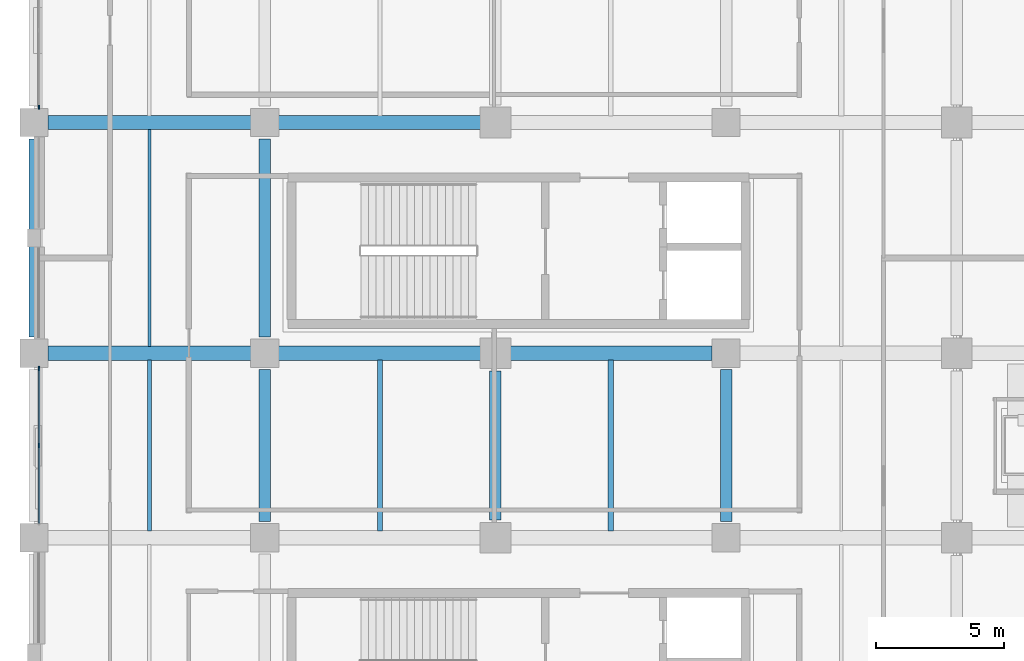
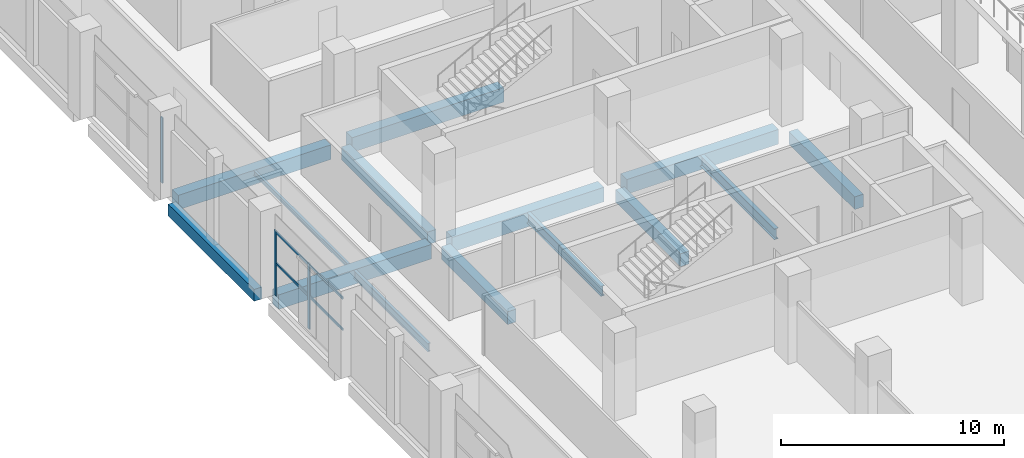
# One storey, part 12 of 100: 14 beams, 5 members, 2 elements without a shape of their own.
"""IFC4 building model written with IfcOpenShell, lengths in metres."""

from ifc_helpers import new_model, si_unit, direction, frame, origin, origin_2d, place, context, subcontext, project, spatial, rectangle, i_section, extrude, material, material_profile, profile_set, type_object, element, aggregate, save


model = new_model("IFC4")

# Units and contexts
model_context = context("Model", 3, precision=1e-05, world=origin(), true_north=direction((0.0, 1.0)))
body_context = subcontext(model_context, "Body", "Model", "MODEL_VIEW")
ifc_project = project(units=[si_unit("LENGTHUNIT", "METRE"), si_unit("AREAUNIT", "SQUARE_METRE"), si_unit("VOLUMEUNIT", "CUBIC_METRE"), si_unit("PLANEANGLEUNIT", "RADIAN"), si_unit("MASSUNIT", "GRAM", prefix="KILO"), si_unit("THERMODYNAMICTEMPERATUREUNIT", "KELVIN"), si_unit("POWERUNIT", "WATT")], contexts=[model_context])

# Site, building, storey
site_placement = place(None, origin())
site = spatial("IfcSite", under=ifc_project, at=site_placement, CompositionType="ELEMENT")
building_placement = place(site_placement, origin())
building = spatial("IfcBuilding", under=site, at=building_placement, Name="Sindhuravela Promenade Stadium", CompositionType="ELEMENT")
storey_placement = place(building_placement, frame((0.0, 0.0, 4.800048828125)))
storey = spatial("IfcBuildingStorey", under=building, at=storey_placement, Name="L01", CompositionType="ELEMENT", Elevation=4.800048828125)

# Curtain wall, members
ifc_material_1 = material(Name="Anodised architectural aluminium 6063-T6", Category="aluminium")
curtain_wall_type_1 = type_object("IfcCurtainWallType", Name="CW-MOD-3", PredefinedType="NOTDEFINED", material=ifc_material_1)
curtain_wall_1_placement = place(storey_placement, origin())
curtain_wall_1 = element("IfcCurtainWall", 1, at=curtain_wall_1_placement, inside=storey, type_object=curtain_wall_type_1, Name="Bronze curtain wall CW-WEST-L01-002", PredefinedType="NOTDEFINED")
ifc_material_profile_1 = material_profile(ifc_material_1, rectangle(XDim=0.06005859375, YDim=0.179931640625, at=origin_2d()), Name="ALU M60x180")
ifc_profile_set_1 = profile_set([ifc_material_profile_1], Name="Anodised architectural aluminium 6063-T6")
member_type_1 = type_object("IfcMemberType", Name="CW-MUL-3", PredefinedType="MULLION", material=ifc_profile_set_1)
member_1_placement = place(storey_placement, frame((0.199951171875, 64.800048828125, 0.0), z_axis=(0.0, 0.0, 1.0), x_axis=(1.0, 0.0, 0.0)))
member_1 = element("IfcMember", 2, at=member_1_placement, type_object=member_type_1, Name="Curtain wall mullion CW-WEST-L01-002-M2", PredefinedType="MULLION", context=body_context, shape_type="SweptSolid", body=[
    extrude(rectangle(XDim=0.06005859375, YDim=0.179931640625, at=origin_2d()), origin(), (0.0, 0.0, 1.0), 3.579833984375),
])
member_2_placement = place(storey_placement, frame((0.199951171875, 67.800048828125, 0.0), z_axis=(0.0, 0.0, 1.0), x_axis=(1.0, 0.0, 0.0)))
member_2 = element("IfcMember", 3, at=member_2_placement, type_object=member_type_1, Name="Curtain wall mullion CW-WEST-L01-002-M3", PredefinedType="MULLION", context=body_context, shape_type="SweptSolid", body=[
    extrude(rectangle(XDim=0.06005859375, YDim=0.179931640625, at=origin_2d()), origin(), (0.0, 0.0, 1.0), 3.579833984375),
])

# Curtain wall, member
curtain_wall_type_2 = type_object("IfcCurtainWallType", Name="CW-MOD-4", PredefinedType="NOTDEFINED", material=ifc_material_1)
curtain_wall_2_placement = place(storey_placement, origin())
curtain_wall_2 = element("IfcCurtainWall", 4, at=curtain_wall_2_placement, inside=storey, type_object=curtain_wall_type_2, Name="Bronze curtain wall CW-WEST-L01-003", PredefinedType="NOTDEFINED")
ifc_material_profile_2 = material_profile(ifc_material_1, rectangle(XDim=0.06005859375, YDim=0.159912109375, at=origin_2d()), Name="ALU M60x160")
ifc_profile_set_2 = profile_set([ifc_material_profile_2], Name="Anodised architectural aluminium 6063-T6")
member_type_2 = type_object("IfcMemberType", Name="CW-MUL-4", PredefinedType="MULLION", material=ifc_profile_set_2)
member_3_placement = place(storey_placement, frame((0.199951171875, 78.0, 0.0), z_axis=(0.0, 0.0, 1.0), x_axis=(1.0, 0.0, 0.0)))
member_3 = element("IfcMember", 5, at=member_3_placement, type_object=member_type_2, Name="Curtain wall mullion CW-WEST-L01-003-M1", PredefinedType="MULLION", context=body_context, shape_type="SweptSolid", body=[
    extrude(rectangle(XDim=0.06005859375, YDim=0.159912109375, at=origin_2d()), origin(), (0.0, 0.0, 1.0), 3.579833984375),
])
aggregate(curtain_wall_2, [member_3])

# Member
ifc_material_profile_3 = material_profile(ifc_material_1, rectangle(XDim=0.06005859375, YDim=0.1298828125, at=origin_2d()), Name="ALU T60x130")
ifc_profile_set_3 = profile_set([ifc_material_profile_3], Name="Anodised architectural aluminium 6063-T6")
member_type_3 = type_object("IfcMemberType", Name="CW-TRN-3", PredefinedType="USERDEFINED", material=ifc_profile_set_3)
member_4_placement = place(storey_placement, frame((0.199951171875, 61.77490234375, 1.7900390625), z_axis=(0.0, 1.0, 0.0), x_axis=(-1.0, 0.0, 0.0)))
member_4 = element("IfcMember", 6, at=member_4_placement, type_object=member_type_3, Name="Curtain wall transom CW-WEST-L01-002-T1", ObjectType="TRANSOM", PredefinedType="USERDEFINED", context=body_context, shape_type="SweptSolid", body=[
    extrude(rectangle(XDim=0.06005859375, YDim=0.1298828125, at=origin_2d()), origin(), (0.0, 0.0, 1.0), 6.050048828125),
])

member_5_placement = place(storey_placement, frame((0.199951171875, 61.77490234375, 3.5), z_axis=(0.0, 1.0, 0.0), x_axis=(-1.0, 0.0, 0.0)))
member_5 = element("IfcMember", 7, at=member_5_placement, type_object=member_type_3, Name="Curtain wall transom CW-WEST-L01-002-T2", ObjectType="TRANSOM", PredefinedType="USERDEFINED", context=body_context, shape_type="SweptSolid", body=[
    extrude(rectangle(XDim=0.06005859375, YDim=0.1298828125, at=origin_2d()), origin(), (0.0, 0.0, 1.0), 6.050048828125),
])

aggregate(curtain_wall_1, [member_1, member_2, member_4, member_5])

# Beams
ifc_material_2 = material(Name="Concrete M40", Category="concrete")
ifc_material_profile_4 = material_profile(ifc_material_2, rectangle(XDim=0.39990234375, YDim=0.64990234375, at=origin_2d()), Name="RC 400x650")
ifc_profile_set_4 = profile_set([ifc_material_profile_4], Name="Concrete M40")
beam_type_1 = type_object("IfcBeamType", Name="RC-BM-400x650", PredefinedType="SPANDREL", material=ifc_profile_set_4)
beam_1_placement = place(storey_placement, frame((0.0, 69.0400390625, -0.625), z_axis=(0.0, 1.0, 0.0), x_axis=(-1.0, 0.0, 0.0)))
element("IfcBeam", 8, at=beam_1_placement, inside=storey, type_object=beam_type_1, Name="Primary beam SP01 WEST L01", PredefinedType="SPANDREL", context=body_context, shape_type="SweptSolid", body=[
    extrude(rectangle(XDim=0.39990234375, YDim=0.64990234375, at=origin_2d()), origin(), (0.0, 0.0, 1.0), 7.719970703125),
])
ifc_material_profile_5 = material_profile(ifc_material_2, rectangle(XDim=0.449951171875, YDim=0.699951171875, at=origin_2d()), Name="RC 450x700")
ifc_profile_set_5 = profile_set([ifc_material_profile_5], Name="Concrete M40")
beam_type_2 = type_object("IfcBeamType", Name="RC-BM-450x700", PredefinedType="BEAM", material=ifc_profile_set_5)
beam_2_placement = place(storey_placement, frame((9.0, 61.840087890625, -0.650146484375), z_axis=(0.0, 1.0, 0.0), x_axis=(-1.0, 0.0, 0.0)))
element("IfcBeam", 9, at=beam_2_placement, inside=storey, type_object=beam_type_2, Name="Primary beam GB07 WEST L01", PredefinedType="BEAM", context=body_context, shape_type="SweptSolid", body=[
    extrude(rectangle(XDim=0.449951171875, YDim=0.699951171875, at=origin_2d()), origin(), (0.0, 0.0, 1.0), 5.919921875),
])
beam_3_placement = place(storey_placement, frame((9.0, 69.0400390625, -0.650146484375), z_axis=(0.0, 1.0, 0.0), x_axis=(-1.0, 0.0, 0.0)))
element("IfcBeam", 10, at=beam_3_placement, inside=storey, type_object=beam_type_2, Name="Primary beam GB07 WEST L01", PredefinedType="BEAM", context=body_context, shape_type="SweptSolid", body=[
    extrude(rectangle(XDim=0.449951171875, YDim=0.699951171875, at=origin_2d()), origin(), (0.0, 0.0, 1.0), 7.719970703125),
])
beam_4_placement = place(storey_placement, frame((18.0, 61.889892578125, -0.650146484375), z_axis=(0.0, 1.0, 0.0), x_axis=(-1.0, 0.0, 0.0)))
element("IfcBeam", 11, at=beam_4_placement, inside=storey, type_object=beam_type_2, Name="Primary beam GB07 WEST L01", PredefinedType="BEAM", context=body_context, shape_type="SweptSolid", body=[
    extrude(rectangle(XDim=0.449951171875, YDim=0.699951171875, at=origin_2d()), origin(), (0.0, 0.0, 1.0), 5.820068359375),
])
beam_5_placement = place(storey_placement, frame((27.0, 61.840087890625, -0.650146484375), z_axis=(0.0, 1.0, 0.0), x_axis=(-1.0, 0.0, 0.0)))
element("IfcBeam", 12, at=beam_5_placement, inside=storey, type_object=beam_type_2, Name="Primary beam GB07 WEST L01", PredefinedType="BEAM", context=body_context, shape_type="SweptSolid", body=[
    extrude(rectangle(XDim=0.449951171875, YDim=0.699951171875, at=origin_2d()), origin(), (0.0, 0.0, 1.0), 5.919921875),
])
ifc_material_profile_6 = material_profile(ifc_material_2, rectangle(XDim=0.550048828125, YDim=0.800048828125, at=origin_2d()), Name="RC 550x800")
ifc_profile_set_6 = profile_set([ifc_material_profile_6], Name="Concrete M40")
beam_type_3 = type_object("IfcBeamType", Name="RC-BM-550x800", PredefinedType="BEAM", material=ifc_profile_set_6)
beam_6_placement = place(storey_placement, frame((0.5400390625, 68.39990234375, -0.699951171875), z_axis=(1.0, 0.0, 0.0), x_axis=(0.0, 1.0, 0.0)))
element("IfcBeam", 13, at=beam_6_placement, inside=storey, type_object=beam_type_3, Name="Primary girder GB05 WEST L01", PredefinedType="BEAM", context=body_context, shape_type="SweptSolid", body=[
    extrude(rectangle(XDim=0.550048828125, YDim=0.800048828125, at=origin_2d()), origin(), (0.0, 0.0, 1.0), 7.919921875),
])
for number, where, z_axis, x_axis, name in (
    (14, (9.5400390625, 68.39990234375, -0.699951171875), (1.0, 0.0, 0.0), (0.0, 1.0, 0.0), "Primary girder GB05 WEST L01"),
    (15, (18.590087890625, 68.39990234375, -0.699951171875), (1.0, 0.0, 0.0), (0.0, 1.0, 0.0), "Primary girder GB05 WEST L01"),
):
    element("IfcBeam", number, at=place(storey_placement, frame(where, z_axis=z_axis, x_axis=x_axis)), inside=storey, type_object=beam_type_3, Name=name, PredefinedType="BEAM", context=body_context, shape_type="SweptSolid", body=[
        extrude(rectangle(XDim=0.550048828125, YDim=0.800048828125, at=origin_2d()), origin(), (0.0, 0.0, 1.0), 7.869873046875),
    ])
beam_7_placement = place(storey_placement, frame((0.5400390625, 77.39990234375, -0.699951171875), z_axis=(1.0, 0.0, 0.0), x_axis=(0.0, 1.0, 0.0)))
element("IfcBeam", 16, at=beam_7_placement, inside=storey, type_object=beam_type_3, Name="Primary girder GB05 WEST L01", PredefinedType="BEAM", context=body_context, shape_type="SweptSolid", body=[
    extrude(rectangle(XDim=0.550048828125, YDim=0.800048828125, at=origin_2d()), origin(), (0.0, 0.0, 1.0), 7.919921875),
])
beam_8_placement = place(storey_placement, frame((9.5400390625, 77.39990234375, -0.699951171875), z_axis=(1.0, 0.0, 0.0), x_axis=(0.0, 1.0, 0.0)))
element("IfcBeam", 17, at=beam_8_placement, inside=storey, type_object=beam_type_3, Name="Primary girder GB05 WEST L01", PredefinedType="BEAM", context=body_context, shape_type="SweptSolid", body=[
    extrude(rectangle(XDim=0.550048828125, YDim=0.800048828125, at=origin_2d()), origin(), (0.0, 0.0, 1.0), 7.869873046875),
])
ifc_material_3 = material(Name="Steel E350 (IS 2062 E350BR)", Category="steel")
ifc_material_profile_7 = material_profile(ifc_material_3, i_section(OverallWidth=0.125, OverallDepth=0.25, WebThickness=0.0068359375, FlangeThickness=0.012451171875, FilletRadius=0.012939453125, at=origin_2d()), Name="ISMB 250")
ifc_profile_set_7 = profile_set([ifc_material_profile_7], Name="Steel E350 (IS 2062 E350BR)")
beam_type_4 = type_object("IfcBeamType", Name="ST-BM-MB250", PredefinedType="JOIST", material=ifc_profile_set_7)
beam_9_placement = place(storey_placement, frame((4.5, 68.6650390625, -0.425048828125), z_axis=(0.0, 1.0, 0.0), x_axis=(-1.0, 0.0, 0.0)))
element("IfcBeam", 18, at=beam_9_placement, inside=storey, type_object=beam_type_4, Name="Secondary floor joist SB02 WEST L01", PredefinedType="JOIST", context=body_context, shape_type="SweptSolid", body=[
    extrude(i_section(OverallWidth=0.125, OverallDepth=0.25, WebThickness=0.0068359375, FlangeThickness=0.012451171875, FilletRadius=0.012939453125, at=origin_2d()), origin(), (0.0, 0.0, 1.0), 8.469970703125),
])
ifc_material_profile_8 = material_profile(ifc_material_3, i_section(OverallWidth=0.14990234375, OverallDepth=0.449951171875, WebThickness=0.009521484375, FlangeThickness=0.017333984375, FilletRadius=0.014892578125, at=origin_2d()), Name="ISMB 450")
ifc_profile_set_8 = profile_set([ifc_material_profile_8], Name="Steel E350 (IS 2062 E350BR)")
beam_type_5 = type_object("IfcBeamType", Name="ST-BM-MB450", PredefinedType="BEAM", material=ifc_profile_set_8)
beam_10_placement = place(storey_placement, frame((4.5, 61.465087890625, -0.525146484375), z_axis=(0.0, 1.0, 0.0), x_axis=(-1.0, 0.0, 0.0)))
element("IfcBeam", 19, at=beam_10_placement, inside=storey, type_object=beam_type_5, Name="Secondary floor joist SB06 WEST L01", PredefinedType="BEAM", context=body_context, shape_type="SweptSolid", body=[
    extrude(i_section(OverallWidth=0.14990234375, OverallDepth=0.449951171875, WebThickness=0.009521484375, FlangeThickness=0.017333984375, FilletRadius=0.014892578125, at=origin_2d()), origin(), (0.0, 0.0, 1.0), 6.669921875),
])
ifc_material_profile_9 = material_profile(ifc_material_3, i_section(OverallWidth=0.18994140625, OverallDepth=0.550048828125, WebThickness=0.01123046875, FlangeThickness=0.019287109375, FilletRadius=0.01806640625, at=origin_2d()), Name="ISMB 550")
ifc_profile_set_9 = profile_set([ifc_material_profile_9], Name="Steel E350 (IS 2062 E350BR)")
beam_type_6 = type_object("IfcBeamType", Name="ST-BM-MB550", PredefinedType="SPANDREL", material=ifc_profile_set_9)
beam_11_placement = place(storey_placement, frame((13.5, 61.465087890625, -0.574951171875), z_axis=(0.0, 1.0, 0.0), x_axis=(-1.0, 0.0, 0.0)))
element("IfcBeam", 20, at=beam_11_placement, inside=storey, type_object=beam_type_6, Name="Secondary floor joist SB08 WEST L01", PredefinedType="SPANDREL", context=body_context, shape_type="SweptSolid", body=[
    extrude(i_section(OverallWidth=0.18994140625, OverallDepth=0.550048828125, WebThickness=0.01123046875, FlangeThickness=0.019287109375, FilletRadius=0.01806640625, at=origin_2d()), origin(), (0.0, 0.0, 1.0), 6.669921875),
])
ifc_material_profile_10 = material_profile(ifc_material_3, i_section(OverallWidth=0.2099609375, OverallDepth=0.60009765625, WebThickness=0.011962890625, FlangeThickness=0.020751953125, FilletRadius=0.02001953125, at=origin_2d()), Name="ISMB 600")
ifc_profile_set_10 = profile_set([ifc_material_profile_10], Name="Steel E350 (IS 2062 E350BR)")
beam_type_7 = type_object("IfcBeamType", Name="ST-BM-MB600", PredefinedType="BEAM", material=ifc_profile_set_10)
beam_12_placement = place(storey_placement, frame((22.5, 61.465087890625, -0.60009765625), z_axis=(0.0, 1.0, 0.0), x_axis=(-1.0, 0.0, 0.0)))
element("IfcBeam", 21, at=beam_12_placement, inside=storey, type_object=beam_type_7, Name="Secondary floor joist SB09 WEST L01", PredefinedType="BEAM", context=body_context, shape_type="SweptSolid", body=[
    extrude(i_section(OverallWidth=0.2099609375, OverallDepth=0.60009765625, WebThickness=0.011962890625, FlangeThickness=0.020751953125, FilletRadius=0.02001953125, at=origin_2d()), origin(), (0.0, 0.0, 1.0), 6.669921875),
])

save(model, "model.ifc")
